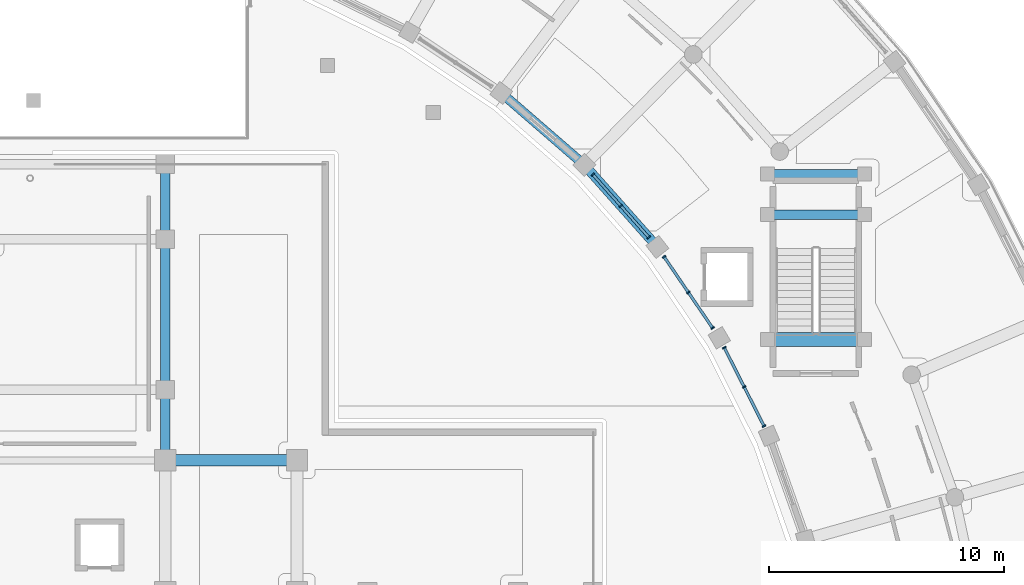
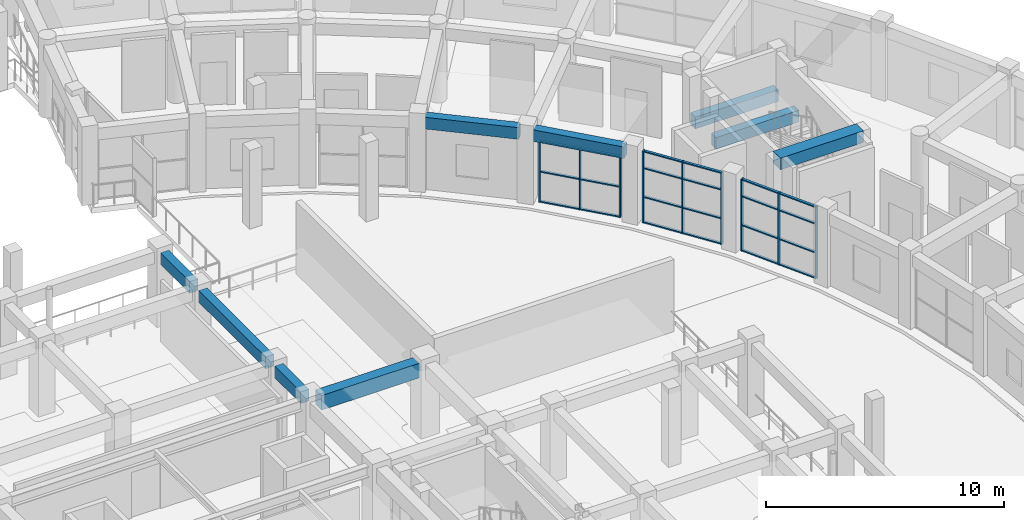
# One storey, part 38 of 87: 31 members, 9 beams, 3 elements without a shape of their own.
"""IFC4 building model written with IfcOpenShell, lengths in metres."""

from ifc_helpers import new_model, si_unit, direction, frame, origin, origin_2d, place, context, subcontext, project, spatial, rectangle, extrude, material, material_profile, profile_set, type_object, element, aggregate, save


model = new_model("IFC4")

# Units and contexts
model_context = context("Model", 3, precision=1e-05, world=origin(), true_north=direction((0.0, 1.0)))
body_context = subcontext(model_context, "Body", "Model", "MODEL_VIEW")
ifc_project = project(units=[si_unit("LENGTHUNIT", "METRE"), si_unit("AREAUNIT", "SQUARE_METRE"), si_unit("VOLUMEUNIT", "CUBIC_METRE"), si_unit("PLANEANGLEUNIT", "RADIAN"), si_unit("MASSUNIT", "GRAM", prefix="KILO")], contexts=[model_context])

# Site, building, storey
site_placement = place(None, origin())
site = spatial("IfcSite", under=ifc_project, at=site_placement, CompositionType="ELEMENT")
building_placement = place(site_placement, origin())
building = spatial("IfcBuilding", under=site, at=building_placement, Name="Saryqyr Civic Hall", CompositionType="ELEMENT")
storey_placement = place(building_placement, frame((0.0, 0.0, 5.10009765625)))
storey = spatial("IfcBuildingStorey", under=building, at=storey_placement, Name="L01", CompositionType="ELEMENT", Elevation=5.10009765625)

# Curtain wall, members
ifc_material_1 = material(Name="Anodised aluminium and triple low-E glass", Category="aluminium")
curtain_wall_type_1 = type_object("IfcCurtainWallType", Name="ENV-CW-STD-44", PredefinedType="NOTDEFINED", material=ifc_material_1)
curtain_wall_1_placement = place(storey_placement, origin())
curtain_wall_1 = element("IfcCurtainWall", 1, at=curtain_wall_1_placement, inside=storey, type_object=curtain_wall_type_1, Name="Curtain wall V6-CWI-L01-03", PredefinedType="NOTDEFINED")
ifc_material_2 = material(Name="Anodised aluminium", Category="aluminium")
ifc_material_profile_1 = material_profile(ifc_material_2, rectangle(XDim=0.06005859375, YDim=0.159912109375, at=origin_2d()), Name="ALU MULLION 60x160")
ifc_profile_set_1 = profile_set([ifc_material_profile_1], Name="Anodised aluminium")
member_type_1 = type_object("IfcMemberType", Name="ENV-CW-MUL-180", PredefinedType="MULLION", material=ifc_profile_set_1)
member_1_placement = place(storey_placement, frame((90.0703125, 98.6572265625, 0.0), z_axis=(0.0, 0.0, 1.0), x_axis=(-0.451922084495, 0.892057413817, 0.0)))
member_1 = element("IfcMember", 2, at=member_1_placement, type_object=member_type_1, Name="CW-44 mullion 1", PredefinedType="MULLION", context=body_context, shape_type="SweptSolid", body=[
    extrude(rectangle(XDim=0.06005859375, YDim=0.159912109375, at=origin_2d()), origin(), (0.0, 0.0, 1.0), 3.699951171875),
])
member_2_placement = place(storey_placement, frame((89.224853515625, 100.32568359375, 0.0), z_axis=(0.0, 0.0, 1.0), x_axis=(-0.451922084495, 0.892057413817, 0.0)))
member_2 = element("IfcMember", 3, at=member_2_placement, type_object=member_type_1, Name="CW-44 mullion 2", PredefinedType="MULLION", context=body_context, shape_type="SweptSolid", body=[
    extrude(rectangle(XDim=0.06005859375, YDim=0.159912109375, at=origin_2d()), origin(), (0.0, 0.0, 1.0), 3.699951171875),
])
member_3_placement = place(storey_placement, frame((88.379638671875, 101.994140625, 0.0), z_axis=(0.0, 0.0, 1.0), x_axis=(-0.451922084495, 0.892057413817, 0.0)))
member_3 = element("IfcMember", 4, at=member_3_placement, type_object=member_type_1, Name="CW-44 mullion 3", PredefinedType="MULLION", context=body_context, shape_type="SweptSolid", body=[
    extrude(rectangle(XDim=0.06005859375, YDim=0.159912109375, at=origin_2d()), origin(), (0.0, 0.0, 1.0), 3.699951171875),
])

curtain_wall_type_2 = type_object("IfcCurtainWallType", Name="ENV-CW-STD-45", PredefinedType="NOTDEFINED", material=ifc_material_1)
curtain_wall_2_placement = place(storey_placement, origin())
curtain_wall_2 = element("IfcCurtainWall", 5, at=curtain_wall_2_placement, inside=storey, type_object=curtain_wall_type_2, Name="Curtain wall V6-CWI-L01-04", PredefinedType="NOTDEFINED")
member_4_placement = place(storey_placement, frame((87.8857421875, 102.82568359375, 0.0), z_axis=(0.0, 0.0, 1.0), x_axis=(-0.563119759928, 0.826375299715, 0.0)))
member_4 = element("IfcMember", 6, at=member_4_placement, type_object=member_type_1, Name="CW-45 mullion 1", PredefinedType="MULLION", context=body_context, shape_type="SweptSolid", body=[
    extrude(rectangle(XDim=0.06005859375, YDim=0.159912109375, at=origin_2d()), origin(), (0.0, 0.0, 1.0), 3.699951171875),
])
member_5_placement = place(storey_placement, frame((86.85205078125, 104.3427734375, 0.0), z_axis=(0.0, 0.0, 1.0), x_axis=(-0.563119759928, 0.826375299715, 0.0)))
member_5 = element("IfcMember", 7, at=member_5_placement, type_object=member_type_1, Name="CW-45 mullion 2", PredefinedType="MULLION", context=body_context, shape_type="SweptSolid", body=[
    extrude(rectangle(XDim=0.06005859375, YDim=0.159912109375, at=origin_2d()), origin(), (0.0, 0.0, 1.0), 3.699951171875),
])
member_6_placement = place(storey_placement, frame((85.818359375, 105.859619140625, 0.0), z_axis=(0.0, 0.0, 1.0), x_axis=(-0.563119759928, 0.826375299715, 0.0)))
member_6 = element("IfcMember", 8, at=member_6_placement, type_object=member_type_1, Name="CW-45 mullion 3", PredefinedType="MULLION", context=body_context, shape_type="SweptSolid", body=[
    extrude(rectangle(XDim=0.06005859375, YDim=0.159912109375, at=origin_2d()), origin(), (0.0, 0.0, 1.0), 3.699951171875),
])

curtain_wall_type_3 = type_object("IfcCurtainWallType", Name="ENV-CW-STD-37", PredefinedType="NOTDEFINED", material=ifc_material_1)
curtain_wall_3_placement = place(storey_placement, origin())
curtain_wall_3 = element("IfcCurtainWall", 9, at=curtain_wall_3_placement, inside=storey, type_object=curtain_wall_type_3, Name="Curtain wall V6-CWI-L01-05", PredefinedType="NOTDEFINED")
member_7_placement = place(storey_placement, frame((85.16845703125, 106.68701171875, 0.0), z_axis=(0.0, 0.0, 1.0), x_axis=(-0.664938004684, 0.746898553973, 0.0)))
member_7 = element("IfcMember", 10, at=member_7_placement, type_object=member_type_1, Name="CW-37 mullion 1", PredefinedType="MULLION", context=body_context, shape_type="SweptSolid", body=[
    extrude(rectangle(XDim=0.06005859375, YDim=0.159912109375, at=origin_2d()), origin(), (0.0, 0.0, 1.0), 3.14501953125),
])
member_8_placement = place(storey_placement, frame((83.981201171875, 108.0205078125, 0.0), z_axis=(0.0, 0.0, 1.0), x_axis=(-0.664938004684, 0.746898553973, 0.0)))
member_8 = element("IfcMember", 11, at=member_8_placement, type_object=member_type_1, Name="CW-37 mullion 2", PredefinedType="MULLION", context=body_context, shape_type="SweptSolid", body=[
    extrude(rectangle(XDim=0.06005859375, YDim=0.159912109375, at=origin_2d()), origin(), (0.0, 0.0, 1.0), 3.14501953125),
])
member_9_placement = place(storey_placement, frame((82.7939453125, 109.35400390625, 0.0), z_axis=(0.0, 0.0, 1.0), x_axis=(-0.664938004684, 0.746898553973, 0.0)))
member_9 = element("IfcMember", 12, at=member_9_placement, type_object=member_type_1, Name="CW-37 mullion 3", PredefinedType="MULLION", context=body_context, shape_type="SweptSolid", body=[
    extrude(rectangle(XDim=0.06005859375, YDim=0.159912109375, at=origin_2d()), origin(), (0.0, 0.0, 1.0), 3.14501953125),
])

# Member
ifc_material_profile_2 = material_profile(ifc_material_2, rectangle(XDim=0.1201171875, YDim=0.06005859375, at=origin_2d()), Name="ALU TRANSOM 120x60")
ifc_profile_set_2 = profile_set([ifc_material_profile_2], Name="Anodised aluminium")
member_type_2 = type_object("IfcMemberType", Name="ENV-CW-TRN-150", PredefinedType="USERDEFINED", material=ifc_profile_set_2)
member_10_placement = place(storey_placement, frame((90.056640625, 98.683837890625, 0.02978515625), z_axis=(-0.4519004071, 0.892068395395, 0.0), x_axis=(-0.892068395395, -0.4519004071, 0.0)))
member_10 = element("IfcMember", 13, at=member_10_placement, type_object=member_type_2, Name="CW-44 transom 1.1", ObjectType="TRANSOM", PredefinedType="USERDEFINED", context=body_context, shape_type="SweptSolid", body=[
    extrude(rectangle(XDim=0.1201171875, YDim=0.06005859375, at=origin_2d()), origin(), (0.0, 0.0, 1.0), 1.810302734375),
])

member_11_placement = place(storey_placement, frame((90.056640625, 98.683837890625, 1.331787109375), z_axis=(-0.4519004071, 0.892068395395, 0.0), x_axis=(-0.892068395395, -0.4519004071, 0.0)))
member_11 = element("IfcMember", 14, at=member_11_placement, type_object=member_type_2, Name="CW-44 transom 1.2", ObjectType="TRANSOM", PredefinedType="USERDEFINED", context=body_context, shape_type="SweptSolid", body=[
    extrude(rectangle(XDim=0.1201171875, YDim=0.06005859375, at=origin_2d()), origin(), (0.0, 0.0, 1.0), 1.810302734375),
])

member_12_placement = place(storey_placement, frame((90.056640625, 98.683837890625, 2.81201171875), z_axis=(-0.4519004071, 0.892068395395, 0.0), x_axis=(-0.892068395395, -0.4519004071, 0.0)))
member_12 = element("IfcMember", 15, at=member_12_placement, type_object=member_type_2, Name="CW-44 transom 1.3", ObjectType="TRANSOM", PredefinedType="USERDEFINED", context=body_context, shape_type="SweptSolid", body=[
    extrude(rectangle(XDim=0.1201171875, YDim=0.06005859375, at=origin_2d()), origin(), (0.0, 0.0, 1.0), 1.810302734375),
])

member_13_placement = place(storey_placement, frame((90.056640625, 98.683837890625, 3.669921875), z_axis=(-0.4519004071, 0.892068395395, 0.0), x_axis=(-0.892068395395, -0.4519004071, 0.0)))
member_13 = element("IfcMember", 16, at=member_13_placement, type_object=member_type_2, Name="CW-44 transom 1.4", ObjectType="TRANSOM", PredefinedType="USERDEFINED", context=body_context, shape_type="SweptSolid", body=[
    extrude(rectangle(XDim=0.1201171875, YDim=0.06005859375, at=origin_2d()), origin(), (0.0, 0.0, 1.0), 1.810302734375),
])

member_14_placement = place(storey_placement, frame((89.21142578125, 100.3525390625, 0.02978515625), z_axis=(-0.4519004071, 0.892068395395, 0.0), x_axis=(-0.892068395395, -0.4519004071, 0.0)))
member_14 = element("IfcMember", 17, at=member_14_placement, type_object=member_type_2, Name="CW-44 transom 2.1", ObjectType="TRANSOM", PredefinedType="USERDEFINED", context=body_context, shape_type="SweptSolid", body=[
    extrude(rectangle(XDim=0.1201171875, YDim=0.06005859375, at=origin_2d()), origin(), (0.0, 0.0, 1.0), 1.810302734375),
])

member_15_placement = place(storey_placement, frame((89.21142578125, 100.3525390625, 1.331787109375), z_axis=(-0.4519004071, 0.892068395395, 0.0), x_axis=(-0.892068395395, -0.4519004071, 0.0)))
member_15 = element("IfcMember", 18, at=member_15_placement, type_object=member_type_2, Name="CW-44 transom 2.2", ObjectType="TRANSOM", PredefinedType="USERDEFINED", context=body_context, shape_type="SweptSolid", body=[
    extrude(rectangle(XDim=0.1201171875, YDim=0.06005859375, at=origin_2d()), origin(), (0.0, 0.0, 1.0), 1.810302734375),
])

member_16_placement = place(storey_placement, frame((89.21142578125, 100.3525390625, 2.81201171875), z_axis=(-0.4519004071, 0.892068395395, 0.0), x_axis=(-0.892068395395, -0.4519004071, 0.0)))
member_16 = element("IfcMember", 19, at=member_16_placement, type_object=member_type_2, Name="CW-44 transom 2.3", ObjectType="TRANSOM", PredefinedType="USERDEFINED", context=body_context, shape_type="SweptSolid", body=[
    extrude(rectangle(XDim=0.1201171875, YDim=0.06005859375, at=origin_2d()), origin(), (0.0, 0.0, 1.0), 1.810302734375),
])

member_17_placement = place(storey_placement, frame((89.21142578125, 100.3525390625, 3.669921875), z_axis=(-0.4519004071, 0.892068395395, 0.0), x_axis=(-0.892068395395, -0.4519004071, 0.0)))
member_17 = element("IfcMember", 20, at=member_17_placement, type_object=member_type_2, Name="CW-44 transom 2.4", ObjectType="TRANSOM", PredefinedType="USERDEFINED", context=body_context, shape_type="SweptSolid", body=[
    extrude(rectangle(XDim=0.1201171875, YDim=0.06005859375, at=origin_2d()), origin(), (0.0, 0.0, 1.0), 1.810302734375),
])

aggregate(curtain_wall_1, [member_1, member_2, member_3, member_10, member_11, member_12, member_13, member_14, member_15, member_16, member_17])

member_18_placement = place(storey_placement, frame((87.868896484375, 102.8505859375, 0.02978515625), z_axis=(-0.563174691322, 0.826337864953, 0.0), x_axis=(-0.826337864953, -0.563174691322, 0.0)))
member_18 = element("IfcMember", 21, at=member_18_placement, type_object=member_type_2, Name="CW-45 transom 1.1", ObjectType="TRANSOM", PredefinedType="USERDEFINED", context=body_context, shape_type="SweptSolid", body=[
    extrude(rectangle(XDim=0.1201171875, YDim=0.06005859375, at=origin_2d()), origin(), (0.0, 0.0, 1.0), 1.775634765625),
])

member_19_placement = place(storey_placement, frame((87.868896484375, 102.8505859375, 1.331787109375), z_axis=(-0.563174691322, 0.826337864953, 0.0), x_axis=(-0.826337864953, -0.563174691322, 0.0)))
member_19 = element("IfcMember", 22, at=member_19_placement, type_object=member_type_2, Name="CW-45 transom 1.2", ObjectType="TRANSOM", PredefinedType="USERDEFINED", context=body_context, shape_type="SweptSolid", body=[
    extrude(rectangle(XDim=0.1201171875, YDim=0.06005859375, at=origin_2d()), origin(), (0.0, 0.0, 1.0), 1.775634765625),
])

member_20_placement = place(storey_placement, frame((87.868896484375, 102.8505859375, 2.81201171875), z_axis=(-0.563174691322, 0.826337864953, 0.0), x_axis=(-0.826337864953, -0.563174691322, 0.0)))
member_20 = element("IfcMember", 23, at=member_20_placement, type_object=member_type_2, Name="CW-45 transom 1.3", ObjectType="TRANSOM", PredefinedType="USERDEFINED", context=body_context, shape_type="SweptSolid", body=[
    extrude(rectangle(XDim=0.1201171875, YDim=0.06005859375, at=origin_2d()), origin(), (0.0, 0.0, 1.0), 1.775634765625),
])

member_21_placement = place(storey_placement, frame((87.868896484375, 102.8505859375, 3.669921875), z_axis=(-0.563174691322, 0.826337864953, 0.0), x_axis=(-0.826337864953, -0.563174691322, 0.0)))
member_21 = element("IfcMember", 24, at=member_21_placement, type_object=member_type_2, Name="CW-45 transom 1.4", ObjectType="TRANSOM", PredefinedType="USERDEFINED", context=body_context, shape_type="SweptSolid", body=[
    extrude(rectangle(XDim=0.1201171875, YDim=0.06005859375, at=origin_2d()), origin(), (0.0, 0.0, 1.0), 1.775634765625),
])

member_22_placement = place(storey_placement, frame((86.835205078125, 104.367431640625, 0.02978515625), z_axis=(-0.56311071105, 0.82638146585, 0.0), x_axis=(-0.82638146585, -0.56311071105, 0.0)))
member_22 = element("IfcMember", 25, at=member_22_placement, type_object=member_type_2, Name="CW-45 transom 2.1", ObjectType="TRANSOM", PredefinedType="USERDEFINED", context=body_context, shape_type="SweptSolid", body=[
    extrude(rectangle(XDim=0.1201171875, YDim=0.06005859375, at=origin_2d()), origin(), (0.0, 0.0, 1.0), 1.77587890625),
])

member_23_placement = place(storey_placement, frame((86.835205078125, 104.367431640625, 1.331787109375), z_axis=(-0.56311071105, 0.82638146585, 0.0), x_axis=(-0.82638146585, -0.56311071105, 0.0)))
member_23 = element("IfcMember", 26, at=member_23_placement, type_object=member_type_2, Name="CW-45 transom 2.2", ObjectType="TRANSOM", PredefinedType="USERDEFINED", context=body_context, shape_type="SweptSolid", body=[
    extrude(rectangle(XDim=0.1201171875, YDim=0.06005859375, at=origin_2d()), origin(), (0.0, 0.0, 1.0), 1.77587890625),
])

member_24_placement = place(storey_placement, frame((86.835205078125, 104.367431640625, 2.81201171875), z_axis=(-0.56311071105, 0.82638146585, 0.0), x_axis=(-0.82638146585, -0.56311071105, 0.0)))
member_24 = element("IfcMember", 27, at=member_24_placement, type_object=member_type_2, Name="CW-45 transom 2.3", ObjectType="TRANSOM", PredefinedType="USERDEFINED", context=body_context, shape_type="SweptSolid", body=[
    extrude(rectangle(XDim=0.1201171875, YDim=0.06005859375, at=origin_2d()), origin(), (0.0, 0.0, 1.0), 1.77587890625),
])

member_25_placement = place(storey_placement, frame((86.835205078125, 104.367431640625, 3.669921875), z_axis=(-0.56311071105, 0.82638146585, 0.0), x_axis=(-0.82638146585, -0.56311071105, 0.0)))
member_25 = element("IfcMember", 28, at=member_25_placement, type_object=member_type_2, Name="CW-45 transom 2.4", ObjectType="TRANSOM", PredefinedType="USERDEFINED", context=body_context, shape_type="SweptSolid", body=[
    extrude(rectangle(XDim=0.1201171875, YDim=0.06005859375, at=origin_2d()), origin(), (0.0, 0.0, 1.0), 1.77587890625),
])

aggregate(curtain_wall_2, [member_4, member_5, member_6, member_18, member_19, member_20, member_21, member_22, member_23, member_24, member_25])

member_26_placement = place(storey_placement, frame((85.148681640625, 106.709228515625, 0.02978515625), z_axis=(-0.664960774248, 0.746878282394, 0.0), x_axis=(-0.746878282394, -0.664960774248, 0.0)))
member_26 = element("IfcMember", 29, at=member_26_placement, type_object=member_type_2, Name="CW-37 transom 1.1", ObjectType="TRANSOM", PredefinedType="USERDEFINED", context=body_context, shape_type="SweptSolid", body=[
    extrude(rectangle(XDim=0.1201171875, YDim=0.06005859375, at=origin_2d()), origin(), (0.0, 0.0, 1.0), 1.7255859375),
])

member_27_placement = place(storey_placement, frame((85.148681640625, 106.709228515625, 1.572021484375), z_axis=(-0.664960774248, 0.746878282394, 0.0), x_axis=(-0.746878282394, -0.664960774248, 0.0)))
member_27 = element("IfcMember", 30, at=member_27_placement, type_object=member_type_2, Name="CW-37 transom 1.2", ObjectType="TRANSOM", PredefinedType="USERDEFINED", context=body_context, shape_type="SweptSolid", body=[
    extrude(rectangle(XDim=0.1201171875, YDim=0.06005859375, at=origin_2d()), origin(), (0.0, 0.0, 1.0), 1.7255859375),
])

member_28_placement = place(storey_placement, frame((85.148681640625, 106.709228515625, 3.114990234375), z_axis=(-0.664960774248, 0.746878282394, 0.0), x_axis=(-0.746878282394, -0.664960774248, 0.0)))
member_28 = element("IfcMember", 31, at=member_28_placement, type_object=member_type_2, Name="CW-37 transom 1.3", ObjectType="TRANSOM", PredefinedType="USERDEFINED", context=body_context, shape_type="SweptSolid", body=[
    extrude(rectangle(XDim=0.1201171875, YDim=0.06005859375, at=origin_2d()), origin(), (0.0, 0.0, 1.0), 1.7255859375),
])

member_29_placement = place(storey_placement, frame((83.96142578125, 108.04296875, 0.02978515625), z_axis=(-0.664960774248, 0.746878282394, 0.0), x_axis=(-0.746878282394, -0.664960774248, 0.0)))
member_29 = element("IfcMember", 32, at=member_29_placement, type_object=member_type_2, Name="CW-37 transom 2.1", ObjectType="TRANSOM", PredefinedType="USERDEFINED", context=body_context, shape_type="SweptSolid", body=[
    extrude(rectangle(XDim=0.1201171875, YDim=0.06005859375, at=origin_2d()), origin(), (0.0, 0.0, 1.0), 1.7255859375),
])

member_30_placement = place(storey_placement, frame((83.96142578125, 108.04296875, 1.572021484375), z_axis=(-0.664960774248, 0.746878282394, 0.0), x_axis=(-0.746878282394, -0.664960774248, 0.0)))
member_30 = element("IfcMember", 33, at=member_30_placement, type_object=member_type_2, Name="CW-37 transom 2.2", ObjectType="TRANSOM", PredefinedType="USERDEFINED", context=body_context, shape_type="SweptSolid", body=[
    extrude(rectangle(XDim=0.1201171875, YDim=0.06005859375, at=origin_2d()), origin(), (0.0, 0.0, 1.0), 1.7255859375),
])

member_31_placement = place(storey_placement, frame((83.96142578125, 108.04296875, 3.114990234375), z_axis=(-0.664960774248, 0.746878282394, 0.0), x_axis=(-0.746878282394, -0.664960774248, 0.0)))
member_31 = element("IfcMember", 34, at=member_31_placement, type_object=member_type_2, Name="CW-37 transom 2.3", ObjectType="TRANSOM", PredefinedType="USERDEFINED", context=body_context, shape_type="SweptSolid", body=[
    extrude(rectangle(XDim=0.1201171875, YDim=0.06005859375, at=origin_2d()), origin(), (0.0, 0.0, 1.0), 1.7255859375),
])

aggregate(curtain_wall_3, [member_7, member_8, member_9, member_26, member_27, member_28, member_29, member_30, member_31])

# Beams
ifc_material_3 = material(Name="Concrete C35/45", Category="concrete")
ifc_material_profile_3 = material_profile(ifc_material_3, rectangle(XDim=0.39990234375, YDim=0.60009765625, at=origin_2d()), Name="RC 400x600")
ifc_profile_set_3 = profile_set([ifc_material_profile_3], Name="Concrete C35/45")
beam_type_1 = type_object("IfcBeamType", Name="STR-BM-RC400x600", PredefinedType="BEAM", material=ifc_profile_set_3)
beam_1_placement = place(storey_placement, frame((64.60009765625, 106.97509765625, 3.469970703125), z_axis=(0.0, 1.0, 0.0), x_axis=(-1.0, 0.0, 0.0)))
element("IfcBeam", 35, at=beam_1_placement, inside=storey, type_object=beam_type_1, Name="Beam V1-TBM-12-L01", PredefinedType="BEAM", context=body_context, shape_type="SweptSolid", body=[
    extrude(rectangle(XDim=0.39990234375, YDim=0.60009765625, at=origin_2d()), origin(), (0.0, 0.0, 1.0), 2.449951171875),
])
beam_2_placement = place(storey_placement, frame((64.60009765625, 100.574951171875, 3.469970703125), z_axis=(0.0, 1.0, 0.0), x_axis=(-1.0, 0.0, 0.0)))
element("IfcBeam", 36, at=beam_2_placement, inside=storey, type_object=beam_type_1, Name="Beam V1-TBM-32-L01", PredefinedType="BEAM", context=body_context, shape_type="SweptSolid", body=[
    extrude(rectangle(XDim=0.39990234375, YDim=0.60009765625, at=origin_2d()), origin(), (0.0, 0.0, 1.0), 5.650146484375),
])
beam_3_placement = place(storey_placement, frame((64.60009765625, 97.625, 3.469970703125), z_axis=(0.0, 1.0, 0.0), x_axis=(-1.0, 0.0, 0.0)))
element("IfcBeam", 37, at=beam_3_placement, inside=storey, type_object=beam_type_1, Name="Beam V1-TBM-50-L01", PredefinedType="BEAM", context=body_context, shape_type="SweptSolid", body=[
    extrude(rectangle(XDim=0.39990234375, YDim=0.60009765625, at=origin_2d()), origin(), (0.0, 0.0, 1.0), 2.199951171875),
])
for number, where, z_axis, x_axis, name in (
    (38, (94.300048828125, 107.64990234375, 1.52490234375), (-1.0, 0.0, 0.0), (0.0, -1.0, 0.0), "Stair half-landing support beam ST-6-LND1-L01"),
    (39, (94.300048828125, 109.3798828125, 1.52490234375), (-1.0, 0.0, 0.0), (0.0, -1.0, 0.0), "Stair half-landing support beam ST-6-LND2-L01"),
):
    element("IfcBeam", number, at=place(storey_placement, frame(where, z_axis=z_axis, x_axis=x_axis)), inside=storey, type_object=beam_type_1, Name=name, PredefinedType="BEAM", context=body_context, shape_type="SweptSolid", body=[
        extrude(rectangle(XDim=0.39990234375, YDim=0.60009765625, at=origin_2d()), origin(), (0.0, 0.0, 1.0), 4.0400390625),
    ])
ifc_material_profile_4 = material_profile(ifc_material_3, rectangle(XDim=0.39990234375, YDim=0.60009765625, at=origin_2d()), Name="RC 400x600")
ifc_profile_set_4 = profile_set([ifc_material_profile_4], Name="Concrete C35/45")
beam_type_2 = type_object("IfcBeamType", Name="STR-BM-RC400x600-EXT", PredefinedType="BEAM", material=ifc_profile_set_4)
beam_4_placement = place(storey_placement, frame((85.319580078125, 106.51708984375, 3.469970703125), z_axis=(-0.664917044926, 0.746917213195, 0.0), x_axis=(-0.746917213195, -0.664917044926, 0.0)))
element("IfcBeam", 40, at=beam_4_placement, inside=storey, type_object=beam_type_2, Name="Beam V6-CBM-IN05-L01", PredefinedType="BEAM", context=body_context, shape_type="SweptSolid", body=[
    extrude(rectangle(XDim=0.39990234375, YDim=0.60009765625, at=origin_2d()), origin(), (0.0, 0.0, 1.0), 4.025390625),
])
beam_5_placement = place(storey_placement, frame((82.181396484375, 109.9794921875, 3.469970703125), z_axis=(-0.755683078976, 0.654937465831, 0.0), x_axis=(-0.654937465831, -0.755683078976, 0.0)))
element("IfcBeam", 41, at=beam_5_placement, inside=storey, type_object=beam_type_2, Name="Beam V6-CBM-IN06-L01", PredefinedType="BEAM", context=body_context, shape_type="SweptSolid", body=[
    extrude(rectangle(XDim=0.39990234375, YDim=0.60009765625, at=origin_2d()), origin(), (0.0, 0.0, 1.0), 4.025146484375),
])
ifc_material_4 = material(Name="Concrete C40/50", Category="concrete")
ifc_material_profile_5 = material_profile(ifc_material_4, rectangle(XDim=0.5, YDim=0.75, at=origin_2d()), Name="RC 500x750")
ifc_profile_set_5 = profile_set([ifc_material_profile_5], Name="Concrete C40/50")
beam_type_3 = type_object("IfcBeamType", Name="STR-BM-RC500x750", PredefinedType="BEAM", material=ifc_profile_set_5)
beam_6_placement = place(storey_placement, frame((65.02490234375, 97.199951171875, 3.39501953125), z_axis=(1.0, 0.0, 0.0), x_axis=(0.0, 1.0, 0.0)))
element("IfcBeam", 42, at=beam_6_placement, inside=storey, type_object=beam_type_3, Name="Beam V1-WBM-E4-L01", PredefinedType="BEAM", context=body_context, shape_type="SweptSolid", body=[
    extrude(rectangle(XDim=0.5, YDim=0.75, at=origin_2d()), origin(), (0.0, 0.0, 1.0), 4.75),
])
ifc_material_profile_6 = material_profile(ifc_material_4, rectangle(XDim=0.60009765625, YDim=0.60009765625, at=origin_2d()), Name="RC 600x600")
ifc_profile_set_6 = profile_set([ifc_material_profile_6], Name="Concrete C40/50")
beam_type_4 = type_object("IfcBeamType", Name="STR-BM-RC600x600", PredefinedType="BEAM", material=ifc_profile_set_6)
beam_7_placement = place(storey_placement, frame((94.300048828125, 102.3349609375, 3.75), z_axis=(-1.0, 0.0, 0.0), x_axis=(0.0, -1.0, 0.0)))
element("IfcBeam", 43, at=beam_7_placement, inside=storey, type_object=beam_type_4, Name="Stair well trimmer beam ST-6-L02", PredefinedType="BEAM", context=body_context, shape_type="SweptSolid", body=[
    extrude(rectangle(XDim=0.60009765625, YDim=0.60009765625, at=origin_2d()), origin(), (0.0, 0.0, 1.0), 4.0400390625),
])

save(model, "model.ifc")
